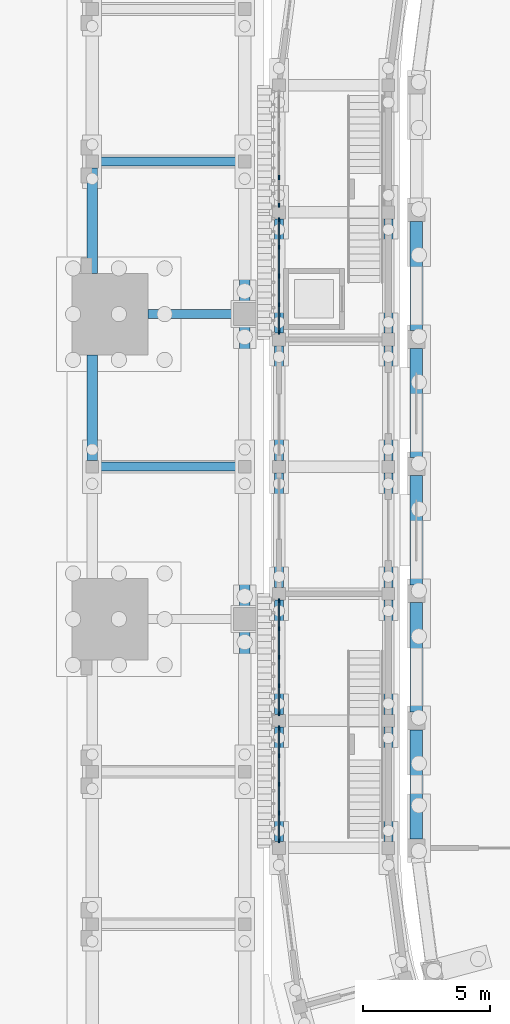
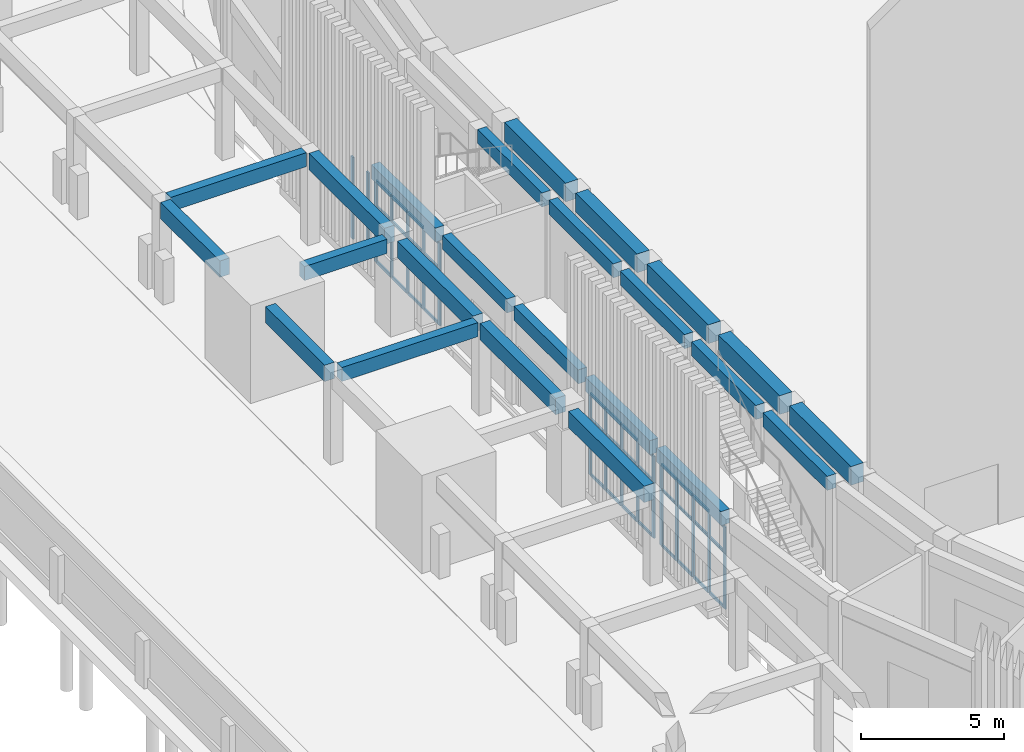
# One storey, part 19 of 112: 53 members, 24 beams, 4 elements without a shape of their own.
"""IFC4 building model written with IfcOpenShell, lengths in metres."""

from ifc_helpers import new_model, si_unit, direction, frame, origin, origin_2d, place, context, subcontext, project, spatial, rectangle, extrude, material, layer, layer_set, material_profile, profile_set, type_object, element, aggregate, save


model = new_model("IFC4")

# Units and contexts
model_context = context("Model", 3, precision=1e-05, world=origin(), true_north=direction((0.0, 1.0)))
body_context = subcontext(model_context, "Body", "Model", "MODEL_VIEW")
ifc_project = project(units=[si_unit("LENGTHUNIT", "METRE"), si_unit("AREAUNIT", "SQUARE_METRE"), si_unit("VOLUMEUNIT", "CUBIC_METRE"), si_unit("PLANEANGLEUNIT", "RADIAN"), si_unit("MASSUNIT", "GRAM", prefix="KILO")], contexts=[model_context])

# Site, building, storey
site_placement = place(None, origin())
site = spatial("IfcSite", under=ifc_project, at=site_placement, CompositionType="ELEMENT")
building_placement = place(site_placement, origin())
building = spatial("IfcBuilding", under=site, at=building_placement, Name="Wasatch Bagh Community Centre", CompositionType="ELEMENT")
storey_placement = place(building_placement, origin())
storey = spatial("IfcBuildingStorey", under=building, at=storey_placement, Name="L00", CompositionType="ELEMENT", Elevation=0.0)

# Beams
ifc_material_1 = material(Name="Concrete C35", Category="concrete")
ifc_material_profile_1 = material_profile(ifc_material_1, rectangle(XDim=0.39990234375, YDim=0.699951171875, at=origin_2d()), Name="RC 400x700")
ifc_profile_set_1 = profile_set([ifc_material_profile_1], Name="Concrete C35")
beam_type_1 = type_object("IfcBeamType", Name="CT-B1", PredefinedType="BEAM", material=ifc_profile_set_1)
for number, where, z_axis, x_axis, name in (
    (1, (4.5, 50.25, 3.60009765625), (0.0, 1.0, 0.0), (-1.0, 0.0, 0.0), "CT.beam.L00.007"),
    (2, (4.5, 57.60009765625, 3.60009765625), (0.0, 1.0, 0.0), (-1.0, 0.0, 0.0), "CT.beam.L00.008"),
):
    element("IfcBeam", number, at=place(storey_placement, frame(where, z_axis=z_axis, x_axis=x_axis)), inside=storey, type_object=beam_type_1, Name=name, PredefinedType="BEAM", context=body_context, shape_type="SweptSolid", body=[
        extrude(rectangle(XDim=0.39990234375, YDim=0.699951171875, at=origin_2d()), origin(), (0.0, 0.0, 1.0), 4.14990234375),
    ])
for number, where, z_axis, x_axis, name in (
    (3, (10.5, 38.25, 3.60009765625), (0.0, 1.0, 0.0), (-1.0, 0.0, 0.0), "CT.beam.L00.017"),
    (4, (10.5, 44.449951171875, 3.60009765625), (0.0, 1.0, 0.0), (-1.0, 0.0, 0.0), "CT.beam.L00.018"),
    (5, (10.5, 50.25, 3.60009765625), (0.0, 1.0, 0.0), (-1.0, 0.0, 0.0), "CT.beam.L00.019"),
    (6, (10.5, 56.449951171875, 3.60009765625), (0.0, 1.0, 0.0), (-1.0, 0.0, 0.0), "CT.beam.L00.020"),
):
    element("IfcBeam", number, at=place(storey_placement, frame(where, z_axis=z_axis, x_axis=x_axis)), inside=storey, type_object=beam_type_1, Name=name, PredefinedType="BEAM", context=body_context, shape_type="SweptSolid", body=[
        extrude(rectangle(XDim=0.39990234375, YDim=0.699951171875, at=origin_2d()), origin(), (0.0, 0.0, 1.0), 5.300048828125),
    ])
ifc_material_profile_2 = material_profile(ifc_material_1, rectangle(XDim=0.35009765625, YDim=0.60009765625, at=origin_2d()), Name="RC 350x600")
ifc_profile_set_2 = profile_set([ifc_material_profile_2], Name="Concrete C35")
beam_type_2 = type_object("IfcBeamType", Name="CT-B2", PredefinedType="BEAM", material=ifc_profile_set_2)
beam_1_placement = place(storey_placement, frame((4.75, 50.0, 3.64990234375), z_axis=(1.0, 0.0, 0.0), x_axis=(0.0, 1.0, 0.0)))
element("IfcBeam", 7, at=beam_1_placement, inside=storey, type_object=beam_type_2, Name="CT.beam.L00.X032", PredefinedType="BEAM", context=body_context, shape_type="SweptSolid", body=[
    extrude(rectangle(XDim=0.35009765625, YDim=0.60009765625, at=origin_2d()), origin(), (0.0, 0.0, 1.0), 5.5),
])
beam_2_placement = place(storey_placement, frame((6.699951171875, 56.0, 3.64990234375), z_axis=(1.0, 0.0, 0.0), x_axis=(0.0, 1.0, 0.0)))
element("IfcBeam", 8, at=beam_2_placement, inside=storey, type_object=beam_type_2, Name="CT.beam.L00.X033", PredefinedType="BEAM", context=body_context, shape_type="SweptSolid", body=[
    extrude(rectangle(XDim=0.35009765625, YDim=0.60009765625, at=origin_2d()), origin(), (0.0, 0.0, 1.0), 3.35009765625),
])
beam_3_placement = place(storey_placement, frame((4.75, 62.0, 3.64990234375), z_axis=(1.0, 0.0, 0.0), x_axis=(0.0, 1.0, 0.0)))
element("IfcBeam", 9, at=beam_3_placement, inside=storey, type_object=beam_type_2, Name="CT.beam.L00.X034", PredefinedType="BEAM", context=body_context, shape_type="SweptSolid", body=[
    extrude(rectangle(XDim=0.35009765625, YDim=0.60009765625, at=origin_2d()), origin(), (0.0, 0.0, 1.0), 5.5),
])

# Curtain wall, members
ifc_material_2 = material(Name="Aluminium curtain wall frame with low-iron insulated glass", Category="aluminium")
ifc_layer = layer(ifc_material_2, 0.14990234375)
ifc_layer_set = layer_set([ifc_layer], Name="Aluminium curtain wall frame with low-iron insulated glass")
curtain_wall_type = type_object("IfcCurtainWallType", Name="Drum curtain wall DR-CW3", PredefinedType="NOTDEFINED", material=ifc_layer_set)
curtain_wall_1_placement = place(storey_placement, origin())
curtain_wall_1 = element("IfcCurtainWall", 10, at=curtain_wall_1_placement, inside=storey, type_object=curtain_wall_type, Name="Curtain wall DR-CW3 31", PredefinedType="NOTDEFINED")
ifc_material_3 = material(Name="Aluminium curtain wall frame", Category="aluminium")
ifc_material_profile_3 = material_profile(ifc_material_3, rectangle(XDim=0.06005859375, YDim=0.159912109375, at=origin_2d()), Name="Drum mullion DR-CW3")
ifc_profile_set_3 = profile_set([ifc_material_profile_3], Name="Aluminium curtain wall frame")
member_type_1 = type_object("IfcMemberType", Name="Drum mullion DR-CW3", PredefinedType="MULLION", material=ifc_profile_set_3)
member_1_placement = place(storey_placement, frame((11.85009765625, 61.375244140625, 0.0), z_axis=(0.0, 0.0, 1.0), x_axis=(1.0, 0.0, 0.0)))
member_1 = element("IfcMember", 11, at=member_1_placement, type_object=member_type_1, Name="DR-CW3 mullion 4", PredefinedType="MULLION", context=body_context, shape_type="SweptSolid", body=[
    extrude(rectangle(XDim=0.06005859375, YDim=0.159912109375, at=origin_2d()), origin(), (0.0, 0.0, 1.0), 3.5),
])
member_2_placement = place(storey_placement, frame((11.85009765625, 60.280517578125, 0.0), z_axis=(0.0, 0.0, 1.0), x_axis=(1.0, 0.0, 0.0)))
member_2 = element("IfcMember", 12, at=member_2_placement, type_object=member_type_1, Name="DR-CW3 mullion 5", PredefinedType="MULLION", context=body_context, shape_type="SweptSolid", body=[
    extrude(rectangle(XDim=0.06005859375, YDim=0.159912109375, at=origin_2d()), origin(), (0.0, 0.0, 1.0), 3.5),
])
aggregate(curtain_wall_1, [member_1, member_2])

curtain_wall_2_placement = place(storey_placement, origin())
curtain_wall_2 = element("IfcCurtainWall", 13, at=curtain_wall_2_placement, inside=storey, type_object=curtain_wall_type, Name="Curtain wall DR-CW3 32", PredefinedType="NOTDEFINED")
member_3_placement = place(storey_placement, frame((11.85009765625, 59.719482421875, 0.0), z_axis=(0.0, 0.0, 1.0), x_axis=(1.0, 0.0, 0.0)))
member_3 = element("IfcMember", 14, at=member_3_placement, type_object=member_type_1, Name="DR-CW3 mullion 1", PredefinedType="MULLION", context=body_context, shape_type="SweptSolid", body=[
    extrude(rectangle(XDim=0.06005859375, YDim=0.159912109375, at=origin_2d()), origin(), (0.0, 0.0, 1.0), 3.5),
])
member_4_placement = place(storey_placement, frame((11.85009765625, 58.624755859375, 0.0), z_axis=(0.0, 0.0, 1.0), x_axis=(1.0, 0.0, 0.0)))
member_4 = element("IfcMember", 15, at=member_4_placement, type_object=member_type_1, Name="DR-CW3 mullion 2", PredefinedType="MULLION", context=body_context, shape_type="SweptSolid", body=[
    extrude(rectangle(XDim=0.06005859375, YDim=0.159912109375, at=origin_2d()), origin(), (0.0, 0.0, 1.0), 3.5),
])
member_5_placement = place(storey_placement, frame((11.85009765625, 57.5, 0.0), z_axis=(0.0, 0.0, 1.0), x_axis=(1.0, 0.0, 0.0)))
member_5 = element("IfcMember", 16, at=member_5_placement, type_object=member_type_1, Name="DR-CW3 mullion 3", PredefinedType="MULLION", context=body_context, shape_type="SweptSolid", body=[
    extrude(rectangle(XDim=0.06005859375, YDim=0.159912109375, at=origin_2d()), origin(), (0.0, 0.0, 1.0), 3.5),
])
member_6_placement = place(storey_placement, frame((11.85009765625, 56.375244140625, 0.0), z_axis=(0.0, 0.0, 1.0), x_axis=(1.0, 0.0, 0.0)))
member_6 = element("IfcMember", 17, at=member_6_placement, type_object=member_type_1, Name="DR-CW3 mullion 4", PredefinedType="MULLION", context=body_context, shape_type="SweptSolid", body=[
    extrude(rectangle(XDim=0.06005859375, YDim=0.159912109375, at=origin_2d()), origin(), (0.0, 0.0, 1.0), 3.5),
])
member_7_placement = place(storey_placement, frame((11.85009765625, 55.280517578125, 0.0), z_axis=(0.0, 0.0, 1.0), x_axis=(1.0, 0.0, 0.0)))
member_7 = element("IfcMember", 18, at=member_7_placement, type_object=member_type_1, Name="DR-CW3 mullion 5", PredefinedType="MULLION", context=body_context, shape_type="SweptSolid", body=[
    extrude(rectangle(XDim=0.06005859375, YDim=0.159912109375, at=origin_2d()), origin(), (0.0, 0.0, 1.0), 3.5),
])

curtain_wall_3_placement = place(storey_placement, origin())
curtain_wall_3 = element("IfcCurtainWall", 19, at=curtain_wall_3_placement, inside=storey, type_object=curtain_wall_type, Name="Curtain wall DR-CW3 35", PredefinedType="NOTDEFINED")
member_8_placement = place(storey_placement, frame((11.85009765625, 44.719482421875, 0.0), z_axis=(0.0, 0.0, 1.0), x_axis=(1.0, 0.0, 0.0)))
member_8 = element("IfcMember", 20, at=member_8_placement, type_object=member_type_1, Name="DR-CW3 mullion 1", PredefinedType="MULLION", context=body_context, shape_type="SweptSolid", body=[
    extrude(rectangle(XDim=0.06005859375, YDim=0.159912109375, at=origin_2d()), origin(), (0.0, 0.0, 1.0), 3.5),
])
member_9_placement = place(storey_placement, frame((11.85009765625, 43.624755859375, 0.0), z_axis=(0.0, 0.0, 1.0), x_axis=(1.0, 0.0, 0.0)))
member_9 = element("IfcMember", 21, at=member_9_placement, type_object=member_type_1, Name="DR-CW3 mullion 2", PredefinedType="MULLION", context=body_context, shape_type="SweptSolid", body=[
    extrude(rectangle(XDim=0.06005859375, YDim=0.159912109375, at=origin_2d()), origin(), (0.0, 0.0, 1.0), 3.5),
])
member_10_placement = place(storey_placement, frame((11.85009765625, 42.5, 0.0), z_axis=(0.0, 0.0, 1.0), x_axis=(1.0, 0.0, 0.0)))
member_10 = element("IfcMember", 22, at=member_10_placement, type_object=member_type_1, Name="DR-CW3 mullion 3", PredefinedType="MULLION", context=body_context, shape_type="SweptSolid", body=[
    extrude(rectangle(XDim=0.06005859375, YDim=0.159912109375, at=origin_2d()), origin(), (0.0, 0.0, 1.0), 3.5),
])
member_11_placement = place(storey_placement, frame((11.85009765625, 41.375244140625, 0.0), z_axis=(0.0, 0.0, 1.0), x_axis=(1.0, 0.0, 0.0)))
member_11 = element("IfcMember", 23, at=member_11_placement, type_object=member_type_1, Name="DR-CW3 mullion 4", PredefinedType="MULLION", context=body_context, shape_type="SweptSolid", body=[
    extrude(rectangle(XDim=0.06005859375, YDim=0.159912109375, at=origin_2d()), origin(), (0.0, 0.0, 1.0), 3.5),
])
member_12_placement = place(storey_placement, frame((11.85009765625, 40.280517578125, 0.0), z_axis=(0.0, 0.0, 1.0), x_axis=(1.0, 0.0, 0.0)))
member_12 = element("IfcMember", 24, at=member_12_placement, type_object=member_type_1, Name="DR-CW3 mullion 5", PredefinedType="MULLION", context=body_context, shape_type="SweptSolid", body=[
    extrude(rectangle(XDim=0.06005859375, YDim=0.159912109375, at=origin_2d()), origin(), (0.0, 0.0, 1.0), 3.5),
])

curtain_wall_4_placement = place(storey_placement, origin())
curtain_wall_4 = element("IfcCurtainWall", 25, at=curtain_wall_4_placement, inside=storey, type_object=curtain_wall_type, Name="Curtain wall DR-CW3 36", PredefinedType="NOTDEFINED")
member_13_placement = place(storey_placement, frame((11.85009765625, 39.719482421875, 0.0), z_axis=(0.0, 0.0, 1.0), x_axis=(1.0, 0.0, 0.0)))
member_13 = element("IfcMember", 26, at=member_13_placement, type_object=member_type_1, Name="DR-CW3 mullion 1", PredefinedType="MULLION", context=body_context, shape_type="SweptSolid", body=[
    extrude(rectangle(XDim=0.06005859375, YDim=0.159912109375, at=origin_2d()), origin(), (0.0, 0.0, 1.0), 3.5),
])
member_14_placement = place(storey_placement, frame((11.85009765625, 38.624755859375, 0.0), z_axis=(0.0, 0.0, 1.0), x_axis=(1.0, 0.0, 0.0)))
member_14 = element("IfcMember", 27, at=member_14_placement, type_object=member_type_1, Name="DR-CW3 mullion 2", PredefinedType="MULLION", context=body_context, shape_type="SweptSolid", body=[
    extrude(rectangle(XDim=0.06005859375, YDim=0.159912109375, at=origin_2d()), origin(), (0.0, 0.0, 1.0), 3.5),
])
member_15_placement = place(storey_placement, frame((11.85009765625, 37.5, 0.0), z_axis=(0.0, 0.0, 1.0), x_axis=(1.0, 0.0, 0.0)))
member_15 = element("IfcMember", 28, at=member_15_placement, type_object=member_type_1, Name="DR-CW3 mullion 3", PredefinedType="MULLION", context=body_context, shape_type="SweptSolid", body=[
    extrude(rectangle(XDim=0.06005859375, YDim=0.159912109375, at=origin_2d()), origin(), (0.0, 0.0, 1.0), 3.5),
])
member_16_placement = place(storey_placement, frame((11.85009765625, 36.375244140625, 0.0), z_axis=(0.0, 0.0, 1.0), x_axis=(1.0, 0.0, 0.0)))
member_16 = element("IfcMember", 29, at=member_16_placement, type_object=member_type_1, Name="DR-CW3 mullion 4", PredefinedType="MULLION", context=body_context, shape_type="SweptSolid", body=[
    extrude(rectangle(XDim=0.06005859375, YDim=0.159912109375, at=origin_2d()), origin(), (0.0, 0.0, 1.0), 3.5),
])
member_17_placement = place(storey_placement, frame((11.85009765625, 35.280517578125, 0.0), z_axis=(0.0, 0.0, 1.0), x_axis=(1.0, 0.0, 0.0)))
member_17 = element("IfcMember", 30, at=member_17_placement, type_object=member_type_1, Name="DR-CW3 mullion 5", PredefinedType="MULLION", context=body_context, shape_type="SweptSolid", body=[
    extrude(rectangle(XDim=0.06005859375, YDim=0.159912109375, at=origin_2d()), origin(), (0.0, 0.0, 1.0), 3.5),
])

# Beams
ifc_material_profile_4 = material_profile(ifc_material_1, rectangle(XDim=0.35009765625, YDim=0.60009765625, at=origin_2d()), Name="RC 350x600")
ifc_profile_set_4 = profile_set([ifc_material_profile_4], Name="Concrete C35")
beam_type_3 = type_object("IfcBeamType", Name="Drum ring beam RC 350x600", PredefinedType="BEAM", material=ifc_profile_set_4)
for number, where, z_axis, x_axis, name in (
    (31, (16.14990234375, 59.74951171875, 3.89990234375), (0.0, -1.0, 0.0), (1.0, 0.0, 0.0), "Ring beam 4.2 DI-W6-DI-W5"),
    (32, (16.14990234375, 54.74951171875, 3.89990234375), (0.0, -1.0, 0.0), (1.0, 0.0, 0.0), "Ring beam 4.2 DI-W5-DI-W4"),
    (33, (16.14990234375, 49.74951171875, 3.89990234375), (0.0, -1.0, 0.0), (1.0, 0.0, 0.0), "Ring beam 4.2 DI-W4-DI-W3"),
    (34, (16.14990234375, 44.74951171875, 3.89990234375), (0.0, -1.0, 0.0), (1.0, 0.0, 0.0), "Ring beam 4.2 DI-W3-DI-W2"),
    (35, (16.14990234375, 39.74951171875, 3.89990234375), (0.0, -1.0, 0.0), (1.0, 0.0, 0.0), "Ring beam 4.2 DI-W2-DI-W1"),
    (36, (11.85009765625, 59.74951171875, 3.89990234375), (0.0, -1.0, 0.0), (1.0, 0.0, 0.0), "Ring beam 4.2 DO-W6-DO-W5"),
    (37, (11.85009765625, 54.74951171875, 3.89990234375), (0.0, -1.0, 0.0), (1.0, 0.0, 0.0), "Ring beam 4.2 DO-W5-DO-W4"),
    (38, (11.85009765625, 49.74951171875, 3.89990234375), (0.0, -1.0, 0.0), (1.0, 0.0, 0.0), "Ring beam 4.2 DO-W4-DO-W3"),
    (39, (11.85009765625, 44.74951171875, 3.89990234375), (0.0, -1.0, 0.0), (1.0, 0.0, 0.0), "Ring beam 4.2 DO-W3-DO-W2"),
    (40, (11.85009765625, 39.74951171875, 3.89990234375), (0.0, -1.0, 0.0), (1.0, 0.0, 0.0), "Ring beam 4.2 DO-W2-DO-W1"),
):
    element("IfcBeam", number, at=place(storey_placement, frame(where, z_axis=z_axis, x_axis=x_axis)), inside=storey, type_object=beam_type_3, Name=name, PredefinedType="BEAM", context=body_context, shape_type="SweptSolid", body=[
        extrude(rectangle(XDim=0.35009765625, YDim=0.60009765625, at=origin_2d()), origin(), (0.0, 0.0, 1.0), 4.4990234375),
    ])

# Member
ifc_material_profile_5 = material_profile(ifc_material_3, rectangle(XDim=0.06005859375, YDim=0.1201171875, at=origin_2d()), Name="Drum transom DR-CW3")
ifc_profile_set_5 = profile_set([ifc_material_profile_5], Name="Aluminium curtain wall frame")
member_type_2 = type_object("IfcMemberType", Name="Drum transom DR-CW3", PredefinedType="USERDEFINED", material=ifc_profile_set_5)
member_18_placement = place(storey_placement, frame((11.85009765625, 59.689453125, 0.030029296875), z_axis=(0.0, -1.0, 0.0), x_axis=(1.0, 0.0, 0.0)))
member_18 = element("IfcMember", 41, at=member_18_placement, type_object=member_type_2, Name="DR-CW3 transom 1.1", ObjectType="TRANSOM", PredefinedType="USERDEFINED", context=body_context, shape_type="SweptSolid", body=[
    extrude(rectangle(XDim=0.06005859375, YDim=0.1201171875, at=origin_2d()), origin(), (0.0, 0.0, 1.0), 1.03466796875),
])

member_19_placement = place(storey_placement, frame((11.85009765625, 59.689453125, 2.39990234375), z_axis=(0.0, -1.0, 0.0), x_axis=(1.0, 0.0, 0.0)))
member_19 = element("IfcMember", 42, at=member_19_placement, type_object=member_type_2, Name="DR-CW3 transom 1.2", ObjectType="TRANSOM", PredefinedType="USERDEFINED", context=body_context, shape_type="SweptSolid", body=[
    extrude(rectangle(XDim=0.06005859375, YDim=0.1201171875, at=origin_2d()), origin(), (0.0, 0.0, 1.0), 1.03466796875),
])

member_20_placement = place(storey_placement, frame((11.85009765625, 59.689453125, 3.469970703125), z_axis=(0.0, -1.0, 0.0), x_axis=(1.0, 0.0, 0.0)))
member_20 = element("IfcMember", 43, at=member_20_placement, type_object=member_type_2, Name="DR-CW3 transom 1.3", ObjectType="TRANSOM", PredefinedType="USERDEFINED", context=body_context, shape_type="SweptSolid", body=[
    extrude(rectangle(XDim=0.06005859375, YDim=0.1201171875, at=origin_2d()), origin(), (0.0, 0.0, 1.0), 1.03466796875),
])

member_21_placement = place(storey_placement, frame((11.85009765625, 58.5947265625, 0.030029296875), z_axis=(0.0, -1.0, 0.0), x_axis=(1.0, 0.0, 0.0)))
member_21 = element("IfcMember", 44, at=member_21_placement, type_object=member_type_2, Name="DR-CW3 transom 2.1", ObjectType="TRANSOM", PredefinedType="USERDEFINED", context=body_context, shape_type="SweptSolid", body=[
    extrude(rectangle(XDim=0.06005859375, YDim=0.1201171875, at=origin_2d()), origin(), (0.0, 0.0, 1.0), 1.064697265625),
])

member_22_placement = place(storey_placement, frame((11.85009765625, 58.5947265625, 2.39990234375), z_axis=(0.0, -1.0, 0.0), x_axis=(1.0, 0.0, 0.0)))
member_22 = element("IfcMember", 45, at=member_22_placement, type_object=member_type_2, Name="DR-CW3 transom 2.2", ObjectType="TRANSOM", PredefinedType="USERDEFINED", context=body_context, shape_type="SweptSolid", body=[
    extrude(rectangle(XDim=0.06005859375, YDim=0.1201171875, at=origin_2d()), origin(), (0.0, 0.0, 1.0), 1.064697265625),
])

member_23_placement = place(storey_placement, frame((11.85009765625, 58.5947265625, 3.469970703125), z_axis=(0.0, -1.0, 0.0), x_axis=(1.0, 0.0, 0.0)))
member_23 = element("IfcMember", 46, at=member_23_placement, type_object=member_type_2, Name="DR-CW3 transom 2.3", ObjectType="TRANSOM", PredefinedType="USERDEFINED", context=body_context, shape_type="SweptSolid", body=[
    extrude(rectangle(XDim=0.06005859375, YDim=0.1201171875, at=origin_2d()), origin(), (0.0, 0.0, 1.0), 1.064697265625),
])

member_24_placement = place(storey_placement, frame((11.85009765625, 57.469970703125, 0.030029296875), z_axis=(0.0, -1.0, 0.0), x_axis=(1.0, 0.0, 0.0)))
member_24 = element("IfcMember", 47, at=member_24_placement, type_object=member_type_2, Name="DR-CW3 transom 3.1", ObjectType="TRANSOM", PredefinedType="USERDEFINED", context=body_context, shape_type="SweptSolid", body=[
    extrude(rectangle(XDim=0.06005859375, YDim=0.1201171875, at=origin_2d()), origin(), (0.0, 0.0, 1.0), 1.064697265625),
])

member_25_placement = place(storey_placement, frame((11.85009765625, 57.469970703125, 2.39990234375), z_axis=(0.0, -1.0, 0.0), x_axis=(1.0, 0.0, 0.0)))
member_25 = element("IfcMember", 48, at=member_25_placement, type_object=member_type_2, Name="DR-CW3 transom 3.2", ObjectType="TRANSOM", PredefinedType="USERDEFINED", context=body_context, shape_type="SweptSolid", body=[
    extrude(rectangle(XDim=0.06005859375, YDim=0.1201171875, at=origin_2d()), origin(), (0.0, 0.0, 1.0), 1.064697265625),
])

member_26_placement = place(storey_placement, frame((11.85009765625, 57.469970703125, 3.469970703125), z_axis=(0.0, -1.0, 0.0), x_axis=(1.0, 0.0, 0.0)))
member_26 = element("IfcMember", 49, at=member_26_placement, type_object=member_type_2, Name="DR-CW3 transom 3.3", ObjectType="TRANSOM", PredefinedType="USERDEFINED", context=body_context, shape_type="SweptSolid", body=[
    extrude(rectangle(XDim=0.06005859375, YDim=0.1201171875, at=origin_2d()), origin(), (0.0, 0.0, 1.0), 1.064697265625),
])

member_27_placement = place(storey_placement, frame((11.85009765625, 56.34521484375, 0.030029296875), z_axis=(0.0, -1.0, 0.0), x_axis=(1.0, 0.0, 0.0)))
member_27 = element("IfcMember", 50, at=member_27_placement, type_object=member_type_2, Name="DR-CW3 transom 4.1", ObjectType="TRANSOM", PredefinedType="USERDEFINED", context=body_context, shape_type="SweptSolid", body=[
    extrude(rectangle(XDim=0.06005859375, YDim=0.1201171875, at=origin_2d()), origin(), (0.0, 0.0, 1.0), 1.03466796875),
])

member_28_placement = place(storey_placement, frame((11.85009765625, 56.34521484375, 2.39990234375), z_axis=(0.0, -1.0, 0.0), x_axis=(1.0, 0.0, 0.0)))
member_28 = element("IfcMember", 51, at=member_28_placement, type_object=member_type_2, Name="DR-CW3 transom 4.2", ObjectType="TRANSOM", PredefinedType="USERDEFINED", context=body_context, shape_type="SweptSolid", body=[
    extrude(rectangle(XDim=0.06005859375, YDim=0.1201171875, at=origin_2d()), origin(), (0.0, 0.0, 1.0), 1.03466796875),
])

member_29_placement = place(storey_placement, frame((11.85009765625, 56.34521484375, 3.469970703125), z_axis=(0.0, -1.0, 0.0), x_axis=(1.0, 0.0, 0.0)))
member_29 = element("IfcMember", 52, at=member_29_placement, type_object=member_type_2, Name="DR-CW3 transom 4.3", ObjectType="TRANSOM", PredefinedType="USERDEFINED", context=body_context, shape_type="SweptSolid", body=[
    extrude(rectangle(XDim=0.06005859375, YDim=0.1201171875, at=origin_2d()), origin(), (0.0, 0.0, 1.0), 1.03466796875),
])

aggregate(curtain_wall_2, [member_3, member_4, member_5, member_6, member_7, member_18, member_19, member_20, member_21, member_22, member_23, member_24, member_25, member_26, member_27, member_28, member_29])

member_30_placement = place(storey_placement, frame((11.85009765625, 44.689453125, 0.030029296875), z_axis=(0.0, -1.0, 0.0), x_axis=(1.0, 0.0, 0.0)))
member_30 = element("IfcMember", 53, at=member_30_placement, type_object=member_type_2, Name="DR-CW3 transom 1.1", ObjectType="TRANSOM", PredefinedType="USERDEFINED", context=body_context, shape_type="SweptSolid", body=[
    extrude(rectangle(XDim=0.06005859375, YDim=0.1201171875, at=origin_2d()), origin(), (0.0, 0.0, 1.0), 1.03466796875),
])

member_31_placement = place(storey_placement, frame((11.85009765625, 44.689453125, 2.39990234375), z_axis=(0.0, -1.0, 0.0), x_axis=(1.0, 0.0, 0.0)))
member_31 = element("IfcMember", 54, at=member_31_placement, type_object=member_type_2, Name="DR-CW3 transom 1.2", ObjectType="TRANSOM", PredefinedType="USERDEFINED", context=body_context, shape_type="SweptSolid", body=[
    extrude(rectangle(XDim=0.06005859375, YDim=0.1201171875, at=origin_2d()), origin(), (0.0, 0.0, 1.0), 1.03466796875),
])

member_32_placement = place(storey_placement, frame((11.85009765625, 44.689453125, 3.469970703125), z_axis=(0.0, -1.0, 0.0), x_axis=(1.0, 0.0, 0.0)))
member_32 = element("IfcMember", 55, at=member_32_placement, type_object=member_type_2, Name="DR-CW3 transom 1.3", ObjectType="TRANSOM", PredefinedType="USERDEFINED", context=body_context, shape_type="SweptSolid", body=[
    extrude(rectangle(XDim=0.06005859375, YDim=0.1201171875, at=origin_2d()), origin(), (0.0, 0.0, 1.0), 1.03466796875),
])

member_33_placement = place(storey_placement, frame((11.85009765625, 43.5947265625, 0.030029296875), z_axis=(0.0, -1.0, 0.0), x_axis=(1.0, 0.0, 0.0)))
member_33 = element("IfcMember", 56, at=member_33_placement, type_object=member_type_2, Name="DR-CW3 transom 2.1", ObjectType="TRANSOM", PredefinedType="USERDEFINED", context=body_context, shape_type="SweptSolid", body=[
    extrude(rectangle(XDim=0.06005859375, YDim=0.1201171875, at=origin_2d()), origin(), (0.0, 0.0, 1.0), 1.064697265625),
])

member_34_placement = place(storey_placement, frame((11.85009765625, 43.5947265625, 2.39990234375), z_axis=(0.0, -1.0, 0.0), x_axis=(1.0, 0.0, 0.0)))
member_34 = element("IfcMember", 57, at=member_34_placement, type_object=member_type_2, Name="DR-CW3 transom 2.2", ObjectType="TRANSOM", PredefinedType="USERDEFINED", context=body_context, shape_type="SweptSolid", body=[
    extrude(rectangle(XDim=0.06005859375, YDim=0.1201171875, at=origin_2d()), origin(), (0.0, 0.0, 1.0), 1.064697265625),
])

member_35_placement = place(storey_placement, frame((11.85009765625, 43.5947265625, 3.469970703125), z_axis=(0.0, -1.0, 0.0), x_axis=(1.0, 0.0, 0.0)))
member_35 = element("IfcMember", 58, at=member_35_placement, type_object=member_type_2, Name="DR-CW3 transom 2.3", ObjectType="TRANSOM", PredefinedType="USERDEFINED", context=body_context, shape_type="SweptSolid", body=[
    extrude(rectangle(XDim=0.06005859375, YDim=0.1201171875, at=origin_2d()), origin(), (0.0, 0.0, 1.0), 1.064697265625),
])

member_36_placement = place(storey_placement, frame((11.85009765625, 42.469970703125, 0.030029296875), z_axis=(0.0, -1.0, 0.0), x_axis=(1.0, 0.0, 0.0)))
member_36 = element("IfcMember", 59, at=member_36_placement, type_object=member_type_2, Name="DR-CW3 transom 3.1", ObjectType="TRANSOM", PredefinedType="USERDEFINED", context=body_context, shape_type="SweptSolid", body=[
    extrude(rectangle(XDim=0.06005859375, YDim=0.1201171875, at=origin_2d()), origin(), (0.0, 0.0, 1.0), 1.064697265625),
])

member_37_placement = place(storey_placement, frame((11.85009765625, 42.469970703125, 2.39990234375), z_axis=(0.0, -1.0, 0.0), x_axis=(1.0, 0.0, 0.0)))
member_37 = element("IfcMember", 60, at=member_37_placement, type_object=member_type_2, Name="DR-CW3 transom 3.2", ObjectType="TRANSOM", PredefinedType="USERDEFINED", context=body_context, shape_type="SweptSolid", body=[
    extrude(rectangle(XDim=0.06005859375, YDim=0.1201171875, at=origin_2d()), origin(), (0.0, 0.0, 1.0), 1.064697265625),
])

member_38_placement = place(storey_placement, frame((11.85009765625, 42.469970703125, 3.469970703125), z_axis=(0.0, -1.0, 0.0), x_axis=(1.0, 0.0, 0.0)))
member_38 = element("IfcMember", 61, at=member_38_placement, type_object=member_type_2, Name="DR-CW3 transom 3.3", ObjectType="TRANSOM", PredefinedType="USERDEFINED", context=body_context, shape_type="SweptSolid", body=[
    extrude(rectangle(XDim=0.06005859375, YDim=0.1201171875, at=origin_2d()), origin(), (0.0, 0.0, 1.0), 1.064697265625),
])

member_39_placement = place(storey_placement, frame((11.85009765625, 41.34521484375, 0.030029296875), z_axis=(0.0, -1.0, 0.0), x_axis=(1.0, 0.0, 0.0)))
member_39 = element("IfcMember", 62, at=member_39_placement, type_object=member_type_2, Name="DR-CW3 transom 4.1", ObjectType="TRANSOM", PredefinedType="USERDEFINED", context=body_context, shape_type="SweptSolid", body=[
    extrude(rectangle(XDim=0.06005859375, YDim=0.1201171875, at=origin_2d()), origin(), (0.0, 0.0, 1.0), 1.03466796875),
])

member_40_placement = place(storey_placement, frame((11.85009765625, 41.34521484375, 2.39990234375), z_axis=(0.0, -1.0, 0.0), x_axis=(1.0, 0.0, 0.0)))
member_40 = element("IfcMember", 63, at=member_40_placement, type_object=member_type_2, Name="DR-CW3 transom 4.2", ObjectType="TRANSOM", PredefinedType="USERDEFINED", context=body_context, shape_type="SweptSolid", body=[
    extrude(rectangle(XDim=0.06005859375, YDim=0.1201171875, at=origin_2d()), origin(), (0.0, 0.0, 1.0), 1.03466796875),
])

member_41_placement = place(storey_placement, frame((11.85009765625, 41.34521484375, 3.469970703125), z_axis=(0.0, -1.0, 0.0), x_axis=(1.0, 0.0, 0.0)))
member_41 = element("IfcMember", 64, at=member_41_placement, type_object=member_type_2, Name="DR-CW3 transom 4.3", ObjectType="TRANSOM", PredefinedType="USERDEFINED", context=body_context, shape_type="SweptSolid", body=[
    extrude(rectangle(XDim=0.06005859375, YDim=0.1201171875, at=origin_2d()), origin(), (0.0, 0.0, 1.0), 1.03466796875),
])

aggregate(curtain_wall_3, [member_8, member_9, member_10, member_11, member_12, member_30, member_31, member_32, member_33, member_34, member_35, member_36, member_37, member_38, member_39, member_40, member_41])

member_42_placement = place(storey_placement, frame((11.85009765625, 39.689453125, 0.030029296875), z_axis=(0.0, -1.0, 0.0), x_axis=(1.0, 0.0, 0.0)))
member_42 = element("IfcMember", 65, at=member_42_placement, type_object=member_type_2, Name="DR-CW3 transom 1.1", ObjectType="TRANSOM", PredefinedType="USERDEFINED", context=body_context, shape_type="SweptSolid", body=[
    extrude(rectangle(XDim=0.06005859375, YDim=0.1201171875, at=origin_2d()), origin(), (0.0, 0.0, 1.0), 1.03466796875),
])

member_43_placement = place(storey_placement, frame((11.85009765625, 39.689453125, 2.39990234375), z_axis=(0.0, -1.0, 0.0), x_axis=(1.0, 0.0, 0.0)))
member_43 = element("IfcMember", 66, at=member_43_placement, type_object=member_type_2, Name="DR-CW3 transom 1.2", ObjectType="TRANSOM", PredefinedType="USERDEFINED", context=body_context, shape_type="SweptSolid", body=[
    extrude(rectangle(XDim=0.06005859375, YDim=0.1201171875, at=origin_2d()), origin(), (0.0, 0.0, 1.0), 1.03466796875),
])

member_44_placement = place(storey_placement, frame((11.85009765625, 39.689453125, 3.469970703125), z_axis=(0.0, -1.0, 0.0), x_axis=(1.0, 0.0, 0.0)))
member_44 = element("IfcMember", 67, at=member_44_placement, type_object=member_type_2, Name="DR-CW3 transom 1.3", ObjectType="TRANSOM", PredefinedType="USERDEFINED", context=body_context, shape_type="SweptSolid", body=[
    extrude(rectangle(XDim=0.06005859375, YDim=0.1201171875, at=origin_2d()), origin(), (0.0, 0.0, 1.0), 1.03466796875),
])

member_45_placement = place(storey_placement, frame((11.85009765625, 38.5947265625, 0.030029296875), z_axis=(0.0, -1.0, 0.0), x_axis=(1.0, 0.0, 0.0)))
member_45 = element("IfcMember", 68, at=member_45_placement, type_object=member_type_2, Name="DR-CW3 transom 2.1", ObjectType="TRANSOM", PredefinedType="USERDEFINED", context=body_context, shape_type="SweptSolid", body=[
    extrude(rectangle(XDim=0.06005859375, YDim=0.1201171875, at=origin_2d()), origin(), (0.0, 0.0, 1.0), 1.064697265625),
])

member_46_placement = place(storey_placement, frame((11.85009765625, 38.5947265625, 2.39990234375), z_axis=(0.0, -1.0, 0.0), x_axis=(1.0, 0.0, 0.0)))
member_46 = element("IfcMember", 69, at=member_46_placement, type_object=member_type_2, Name="DR-CW3 transom 2.2", ObjectType="TRANSOM", PredefinedType="USERDEFINED", context=body_context, shape_type="SweptSolid", body=[
    extrude(rectangle(XDim=0.06005859375, YDim=0.1201171875, at=origin_2d()), origin(), (0.0, 0.0, 1.0), 1.064697265625),
])

member_47_placement = place(storey_placement, frame((11.85009765625, 38.5947265625, 3.469970703125), z_axis=(0.0, -1.0, 0.0), x_axis=(1.0, 0.0, 0.0)))
member_47 = element("IfcMember", 70, at=member_47_placement, type_object=member_type_2, Name="DR-CW3 transom 2.3", ObjectType="TRANSOM", PredefinedType="USERDEFINED", context=body_context, shape_type="SweptSolid", body=[
    extrude(rectangle(XDim=0.06005859375, YDim=0.1201171875, at=origin_2d()), origin(), (0.0, 0.0, 1.0), 1.064697265625),
])

member_48_placement = place(storey_placement, frame((11.85009765625, 37.469970703125, 0.030029296875), z_axis=(0.0, -1.0, 0.0), x_axis=(1.0, 0.0, 0.0)))
member_48 = element("IfcMember", 71, at=member_48_placement, type_object=member_type_2, Name="DR-CW3 transom 3.1", ObjectType="TRANSOM", PredefinedType="USERDEFINED", context=body_context, shape_type="SweptSolid", body=[
    extrude(rectangle(XDim=0.06005859375, YDim=0.1201171875, at=origin_2d()), origin(), (0.0, 0.0, 1.0), 1.064697265625),
])

member_49_placement = place(storey_placement, frame((11.85009765625, 37.469970703125, 2.39990234375), z_axis=(0.0, -1.0, 0.0), x_axis=(1.0, 0.0, 0.0)))
member_49 = element("IfcMember", 72, at=member_49_placement, type_object=member_type_2, Name="DR-CW3 transom 3.2", ObjectType="TRANSOM", PredefinedType="USERDEFINED", context=body_context, shape_type="SweptSolid", body=[
    extrude(rectangle(XDim=0.06005859375, YDim=0.1201171875, at=origin_2d()), origin(), (0.0, 0.0, 1.0), 1.064697265625),
])

member_50_placement = place(storey_placement, frame((11.85009765625, 37.469970703125, 3.469970703125), z_axis=(0.0, -1.0, 0.0), x_axis=(1.0, 0.0, 0.0)))
member_50 = element("IfcMember", 73, at=member_50_placement, type_object=member_type_2, Name="DR-CW3 transom 3.3", ObjectType="TRANSOM", PredefinedType="USERDEFINED", context=body_context, shape_type="SweptSolid", body=[
    extrude(rectangle(XDim=0.06005859375, YDim=0.1201171875, at=origin_2d()), origin(), (0.0, 0.0, 1.0), 1.064697265625),
])

member_51_placement = place(storey_placement, frame((11.85009765625, 36.34521484375, 0.030029296875), z_axis=(0.0, -1.0, 0.0), x_axis=(1.0, 0.0, 0.0)))
member_51 = element("IfcMember", 74, at=member_51_placement, type_object=member_type_2, Name="DR-CW3 transom 4.1", ObjectType="TRANSOM", PredefinedType="USERDEFINED", context=body_context, shape_type="SweptSolid", body=[
    extrude(rectangle(XDim=0.06005859375, YDim=0.1201171875, at=origin_2d()), origin(), (0.0, 0.0, 1.0), 1.03466796875),
])

member_52_placement = place(storey_placement, frame((11.85009765625, 36.34521484375, 2.39990234375), z_axis=(0.0, -1.0, 0.0), x_axis=(1.0, 0.0, 0.0)))
member_52 = element("IfcMember", 75, at=member_52_placement, type_object=member_type_2, Name="DR-CW3 transom 4.2", ObjectType="TRANSOM", PredefinedType="USERDEFINED", context=body_context, shape_type="SweptSolid", body=[
    extrude(rectangle(XDim=0.06005859375, YDim=0.1201171875, at=origin_2d()), origin(), (0.0, 0.0, 1.0), 1.03466796875),
])

member_53_placement = place(storey_placement, frame((11.85009765625, 36.34521484375, 3.469970703125), z_axis=(0.0, -1.0, 0.0), x_axis=(1.0, 0.0, 0.0)))
member_53 = element("IfcMember", 76, at=member_53_placement, type_object=member_type_2, Name="DR-CW3 transom 4.3", ObjectType="TRANSOM", PredefinedType="USERDEFINED", context=body_context, shape_type="SweptSolid", body=[
    extrude(rectangle(XDim=0.06005859375, YDim=0.1201171875, at=origin_2d()), origin(), (0.0, 0.0, 1.0), 1.03466796875),
])

aggregate(curtain_wall_4, [member_13, member_14, member_15, member_16, member_17, member_42, member_43, member_44, member_45, member_46, member_47, member_48, member_49, member_50, member_51, member_52, member_53])

# Beams
ifc_material_profile_6 = material_profile(ifc_material_1, rectangle(XDim=0.5, YDim=0.800048828125, at=origin_2d()), Name="RC 500x800")
ifc_profile_set_6 = profile_set([ifc_material_profile_6], Name="Concrete C35")
beam_type_4 = type_object("IfcBeamType", Name="MH ring beam RC 500x800", PredefinedType="BEAM", material=ifc_profile_set_6)
for number, where, z_axis, x_axis, name in (
    (77, (17.25, 59.6494140625, 3.800048828125), (0.0, -1.0, 0.0), (1.0, 0.0, 0.0), "Ring beam 4.2 W6-W5"),
    (78, (17.25, 54.6494140625, 3.800048828125), (0.0, -1.0, 0.0), (1.0, 0.0, 0.0), "Ring beam 4.2 W5-W4"),
    (79, (17.25, 49.6494140625, 3.800048828125), (0.0, -1.0, 0.0), (1.0, 0.0, 0.0), "Ring beam 4.2 W4-W3"),
    (80, (17.25, 44.6494140625, 3.800048828125), (0.0, -1.0, 0.0), (1.0, 0.0, 0.0), "Ring beam 4.2 W3-W2"),
    (81, (17.25, 39.6494140625, 3.800048828125), (0.0, -1.0, 0.0), (1.0, 0.0, 0.0), "Ring beam 4.2 W2-W1"),
):
    element("IfcBeam", number, at=place(storey_placement, frame(where, z_axis=z_axis, x_axis=x_axis)), inside=storey, type_object=beam_type_4, Name=name, PredefinedType="BEAM", context=body_context, shape_type="SweptSolid", body=[
        extrude(rectangle(XDim=0.5, YDim=0.800048828125, at=origin_2d()), origin(), (0.0, 0.0, 1.0), 4.298828125),
    ])

save(model, "model.ifc")
